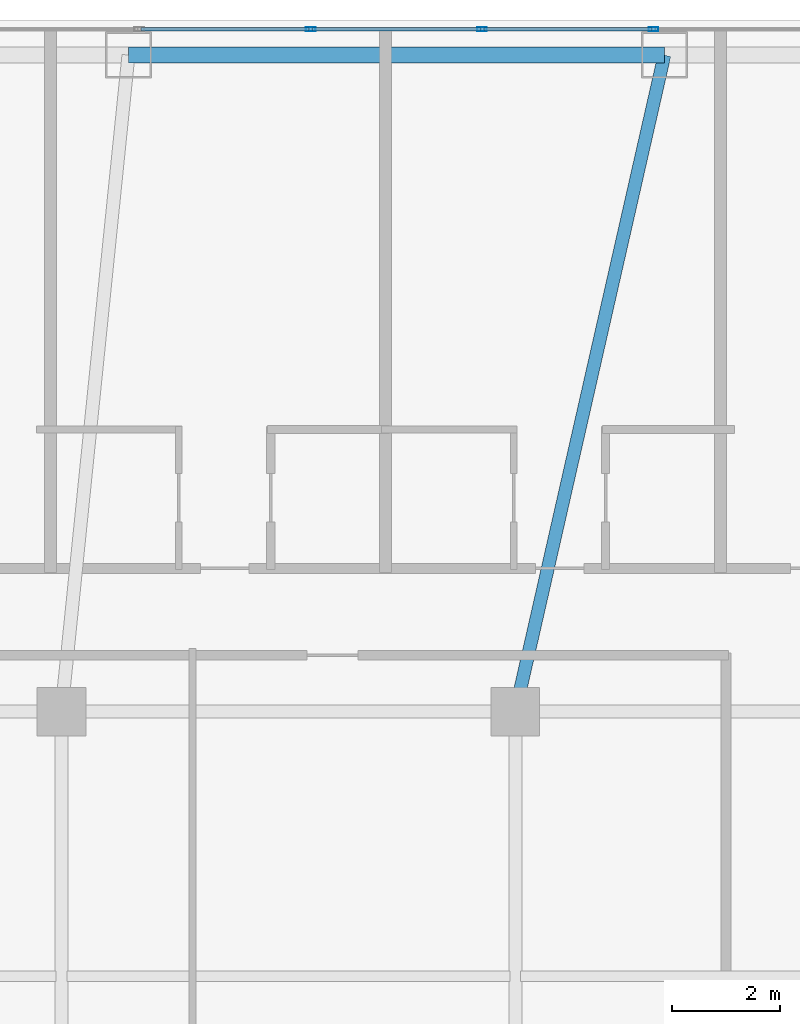
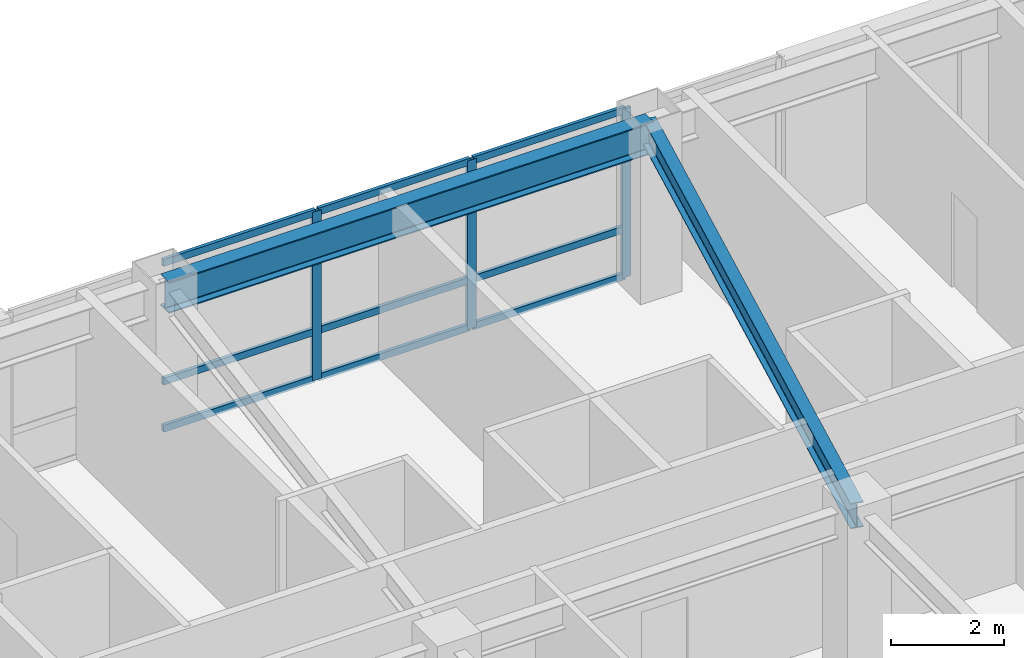
# One storey, part 18 of 29: 12 members, 2 beams, 1 element without a shape of its own.
"""IFC4 building model written with IfcOpenShell, lengths in metres."""

from ifc_helpers import new_model, si_unit, direction, frame, origin, origin_2d, place, context, subcontext, project, spatial, hollow_rectangle, i_section, extrude, material, layer, layer_set, material_profile, profile_set, type_object, element, aggregate, save


model = new_model("IFC4")

# Units and contexts
model_context = context("Model", 3, precision=1e-05, world=origin(), true_north=direction((0.0, 1.0)))
body_context = subcontext(model_context, "Body", "Model", "MODEL_VIEW")
ifc_project = project(units=[si_unit("LENGTHUNIT", "METRE"), si_unit("AREAUNIT", "SQUARE_METRE"), si_unit("VOLUMEUNIT", "CUBIC_METRE"), si_unit("PLANEANGLEUNIT", "RADIAN"), si_unit("MASSUNIT", "GRAM", prefix="KILO")], contexts=[model_context])

# Site, building, storey
site_placement = place(None, origin())
site = spatial("IfcSite", under=ifc_project, at=site_placement, CompositionType="ELEMENT")
building_placement = place(site_placement, origin())
building = spatial("IfcBuilding", under=site, at=building_placement, Name="Voryun Gate Residences", CompositionType="ELEMENT")
storey_placement = place(building_placement, frame((0.0, 0.0, 211.89990234375)))
storey = spatial("IfcBuildingStorey", under=building, at=storey_placement, Name="L52", CompositionType="ELEMENT", Elevation=211.89990234375)

# Beams
ifc_material_1 = material(Name="Steel SM355", Category="steel")
ifc_material_profile_1 = material_profile(ifc_material_1, i_section(OverallWidth=0.300048828125, OverallDepth=0.679931640625, WebThickness=0.013916015625, FlangeThickness=0.02490234375, FilletRadius=0.01806640625, at=origin_2d()), Name="H-680x300x14x25")
ifc_profile_set_1 = profile_set([ifc_material_profile_1], Name="Steel SM355")
beam_type_1 = type_object("IfcBeamType", Name="BM_EXO_SPANDREL_M", PredefinedType="SPANDREL", material=ifc_profile_set_1)
beam_1_placement = place(storey_placement, frame((6.9599609375, 19.550048828125, 3.31005859375), z_axis=(-1.0, 0.0, 0.0), x_axis=(0.0, -1.0, 0.0)))
element("IfcBeam", 1, at=beam_1_placement, inside=storey, type_object=beam_type_1, Name="BM-L52-SPAND-13", PredefinedType="SPANDREL", context=body_context, shape_type="SweptSolid", body=[
    extrude(i_section(OverallWidth=0.300048828125, OverallDepth=0.679931640625, WebThickness=0.013916015625, FlangeThickness=0.02490234375, FilletRadius=0.01806640625, at=origin_2d()), origin(), (0.0, 0.0, 1.0), 9.919921875),
])
ifc_material_2 = material(Name="Steel SM355", Category="steel")
ifc_material_profile_2 = material_profile(ifc_material_2, i_section(OverallWidth=0.239990234375, OverallDepth=0.550048828125, WebThickness=0.011962890625, FlangeThickness=0.02001953125, FilletRadius=0.01806640625, at=origin_2d()), Name="H-550x240x12x20")
ifc_profile_set_2 = profile_set([ifc_material_profile_2], Name="Steel SM355")
beam_type_2 = type_object("IfcBeamType", Name="BM_GIRD_550", PredefinedType="USERDEFINED", material=ifc_profile_set_2)
beam_2_placement = place(storey_placement, frame((4.199951171875, 7.39990234375, 3.375), z_axis=(0.221515238368, 0.975156910026, 0.0), x_axis=(-0.975156910026, 0.221515238368, 0.0)))
element("IfcBeam", 2, at=beam_2_placement, inside=storey, type_object=beam_type_2, Name="BM-L52-RAD-N3", ObjectType="GIRDER", PredefinedType="USERDEFINED", context=body_context, shape_type="SweptSolid", body=[
    extrude(i_section(OverallWidth=0.239990234375, OverallDepth=0.550048828125, WebThickness=0.011962890625, FlangeThickness=0.02001953125, FilletRadius=0.01806640625, at=origin_2d()), origin(), (0.0, 0.0, 1.0), 12.459716796875),
])

# Curtain wall, members
ifc_material_3 = material(Name="Anodised aluminium", Category="aluminium")
ifc_layer = layer(ifc_material_3, 0.18994140625, Name="CW_SYS_RES_B_DARK_GLASS")
ifc_layer_set = layer_set([ifc_layer], Name="Anodised aluminium")
curtain_wall_type = type_object("IfcCurtainWallType", Name="CW_SYS_RES_B_DARK_GLASS", PredefinedType="NOTDEFINED", material=ifc_layer_set)
curtain_wall_placement = place(storey_placement, origin())
curtain_wall = element("IfcCurtainWall", 3, at=curtain_wall_placement, inside=storey, type_object=curtain_wall_type, Name="Curtain wall CWT-L52-11", PredefinedType="NOTDEFINED")
ifc_material_4 = material(Name="Anodised aluminium", Category="aluminium")
ifc_material_profile_3 = material_profile(ifc_material_4, hollow_rectangle(XDim=0.070068359375, YDim=0.179931640625, WallThickness=0.00390625, at=origin_2d()), Name="ALU-MULL-180x70x4")
ifc_profile_set_3 = profile_set([ifc_material_profile_3], Name="Anodised aluminium")
member_type_1 = type_object("IfcMemberType", Name="CW_MULL_RES", PredefinedType="MULLION", material=ifc_profile_set_3)
member_1_placement = place(storey_placement, frame((0.413818359375, 20.030029296875, 0.0), z_axis=(0.0, 0.0, 1.0), x_axis=(0.0, 1.0, 0.0)))
member_1 = element("IfcMember", 4, at=member_1_placement, type_object=member_type_1, Name="CW4 mullion 3", PredefinedType="MULLION", context=body_context, shape_type="SweptSolid", body=[
    extrude(hollow_rectangle(XDim=0.070068359375, YDim=0.179931640625, WallThickness=0.00390625, at=origin_2d()), origin(), (0.0, 0.0, 1.0), 3.650146484375),
])
member_2_placement = place(storey_placement, frame((3.586181640625, 20.030029296875, 0.0), z_axis=(0.0, 0.0, 1.0), x_axis=(0.0, 1.0, 0.0)))
member_2 = element("IfcMember", 5, at=member_2_placement, type_object=member_type_1, Name="CW4 mullion 4", PredefinedType="MULLION", context=body_context, shape_type="SweptSolid", body=[
    extrude(hollow_rectangle(XDim=0.070068359375, YDim=0.179931640625, WallThickness=0.00390625, at=origin_2d()), origin(), (0.0, 0.0, 1.0), 3.650146484375),
])
member_3_placement = place(storey_placement, frame((6.75830078125, 20.030029296875, 0.0), z_axis=(0.0, 0.0, 1.0), x_axis=(0.0, 1.0, 0.0)))
member_3 = element("IfcMember", 6, at=member_3_placement, type_object=member_type_1, Name="CW4 mullion 5", PredefinedType="MULLION", context=body_context, shape_type="SweptSolid", body=[
    extrude(hollow_rectangle(XDim=0.070068359375, YDim=0.179931640625, WallThickness=0.00390625, at=origin_2d()), origin(), (0.0, 0.0, 1.0), 3.650146484375),
])
ifc_material_5 = material(Name="Anodised aluminium", Category="aluminium")
ifc_material_profile_4 = material_profile(ifc_material_5, hollow_rectangle(XDim=0.070068359375, YDim=0.14990234375, WallThickness=0.00390625, at=origin_2d()), Name="ALU-TRAN-150x70x4")
ifc_profile_set_4 = profile_set([ifc_material_profile_4], Name="Anodised aluminium")
member_type_2 = type_object("IfcMemberType", Name="CW_TRAN_RES", PredefinedType="USERDEFINED", material=ifc_profile_set_4)
member_4_placement = place(storey_placement, frame((-2.728515625, 20.030029296875, 0.030029296875), z_axis=(1.0, 0.0, 0.0), x_axis=(0.0, 1.0, 0.0)))
member_4 = element("IfcMember", 7, at=member_4_placement, type_object=member_type_2, Name="CW4 transom 2.1", ObjectType="TRANSOM", PredefinedType="USERDEFINED", context=body_context, shape_type="SweptSolid", body=[
    extrude(hollow_rectangle(XDim=0.070068359375, YDim=0.14990234375, WallThickness=0.00390625, at=origin_2d()), origin(), (0.0, 0.0, 1.0), 3.1123046875),
])
member_5_placement = place(storey_placement, frame((-2.728515625, 20.030029296875, 1.050048828125), z_axis=(1.0, 0.0, 0.0), x_axis=(0.0, 1.0, 0.0)))
member_5 = element("IfcMember", 8, at=member_5_placement, type_object=member_type_2, Name="CW4 transom 2.2", ObjectType="TRANSOM", PredefinedType="USERDEFINED", context=body_context, shape_type="SweptSolid", body=[
    extrude(hollow_rectangle(XDim=0.070068359375, YDim=0.14990234375, WallThickness=0.00390625, at=origin_2d()), origin(), (0.0, 0.0, 1.0), 3.1123046875),
])
member_6_placement = place(storey_placement, frame((-2.728515625, 20.030029296875, 3.6201171875), z_axis=(1.0, 0.0, 0.0), x_axis=(0.0, 1.0, 0.0)))
member_6 = element("IfcMember", 9, at=member_6_placement, type_object=member_type_2, Name="CW4 transom 2.3", ObjectType="TRANSOM", PredefinedType="USERDEFINED", context=body_context, shape_type="SweptSolid", body=[
    extrude(hollow_rectangle(XDim=0.070068359375, YDim=0.14990234375, WallThickness=0.00390625, at=origin_2d()), origin(), (0.0, 0.0, 1.0), 3.1123046875),
])
member_7_placement = place(storey_placement, frame((0.44384765625, 20.030029296875, 0.030029296875), z_axis=(1.0, 0.0, 0.0), x_axis=(0.0, 1.0, 0.0)))
member_7 = element("IfcMember", 10, at=member_7_placement, type_object=member_type_2, Name="CW4 transom 3.1", ObjectType="TRANSOM", PredefinedType="USERDEFINED", context=body_context, shape_type="SweptSolid", body=[
    extrude(hollow_rectangle(XDim=0.070068359375, YDim=0.14990234375, WallThickness=0.00390625, at=origin_2d()), origin(), (0.0, 0.0, 1.0), 3.1123046875),
])
member_8_placement = place(storey_placement, frame((0.44384765625, 20.030029296875, 1.050048828125), z_axis=(1.0, 0.0, 0.0), x_axis=(0.0, 1.0, 0.0)))
member_8 = element("IfcMember", 11, at=member_8_placement, type_object=member_type_2, Name="CW4 transom 3.2", ObjectType="TRANSOM", PredefinedType="USERDEFINED", context=body_context, shape_type="SweptSolid", body=[
    extrude(hollow_rectangle(XDim=0.070068359375, YDim=0.14990234375, WallThickness=0.00390625, at=origin_2d()), origin(), (0.0, 0.0, 1.0), 3.1123046875),
])
member_9_placement = place(storey_placement, frame((0.44384765625, 20.030029296875, 3.6201171875), z_axis=(1.0, 0.0, 0.0), x_axis=(0.0, 1.0, 0.0)))
member_9 = element("IfcMember", 12, at=member_9_placement, type_object=member_type_2, Name="CW4 transom 3.3", ObjectType="TRANSOM", PredefinedType="USERDEFINED", context=body_context, shape_type="SweptSolid", body=[
    extrude(hollow_rectangle(XDim=0.070068359375, YDim=0.14990234375, WallThickness=0.00390625, at=origin_2d()), origin(), (0.0, 0.0, 1.0), 3.1123046875),
])
member_10_placement = place(storey_placement, frame((3.6162109375, 20.030029296875, 0.030029296875), z_axis=(1.0, 0.0, 0.0), x_axis=(0.0, 1.0, 0.0)))
member_10 = element("IfcMember", 13, at=member_10_placement, type_object=member_type_2, Name="CW4 transom 4.1", ObjectType="TRANSOM", PredefinedType="USERDEFINED", context=body_context, shape_type="SweptSolid", body=[
    extrude(hollow_rectangle(XDim=0.070068359375, YDim=0.14990234375, WallThickness=0.00390625, at=origin_2d()), origin(), (0.0, 0.0, 1.0), 3.1123046875),
])
member_11_placement = place(storey_placement, frame((3.6162109375, 20.030029296875, 1.050048828125), z_axis=(1.0, 0.0, 0.0), x_axis=(0.0, 1.0, 0.0)))
member_11 = element("IfcMember", 14, at=member_11_placement, type_object=member_type_2, Name="CW4 transom 4.2", ObjectType="TRANSOM", PredefinedType="USERDEFINED", context=body_context, shape_type="SweptSolid", body=[
    extrude(hollow_rectangle(XDim=0.070068359375, YDim=0.14990234375, WallThickness=0.00390625, at=origin_2d()), origin(), (0.0, 0.0, 1.0), 3.1123046875),
])
member_12_placement = place(storey_placement, frame((3.6162109375, 20.030029296875, 3.6201171875), z_axis=(1.0, 0.0, 0.0), x_axis=(0.0, 1.0, 0.0)))
member_12 = element("IfcMember", 15, at=member_12_placement, type_object=member_type_2, Name="CW4 transom 4.3", ObjectType="TRANSOM", PredefinedType="USERDEFINED", context=body_context, shape_type="SweptSolid", body=[
    extrude(hollow_rectangle(XDim=0.070068359375, YDim=0.14990234375, WallThickness=0.00390625, at=origin_2d()), origin(), (0.0, 0.0, 1.0), 3.1123046875),
])
aggregate(curtain_wall, [member_1, member_2, member_3, member_4, member_5, member_6, member_7, member_8, member_9, member_10, member_11, member_12])

save(model, "model.ifc")
